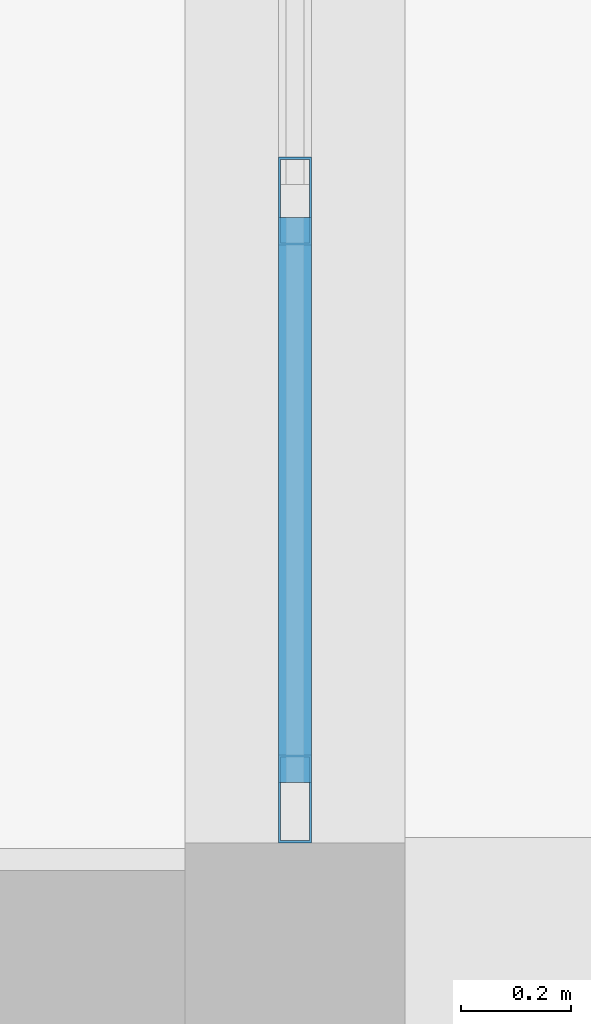
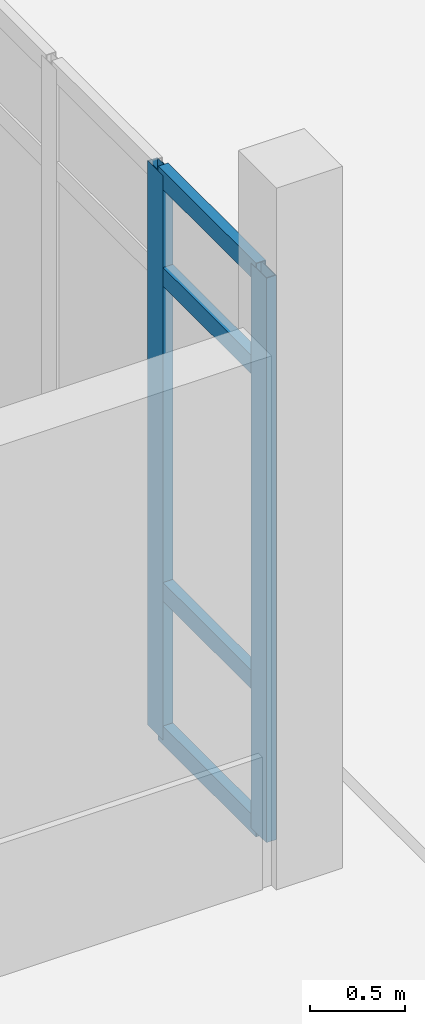
# One storey, part 3 of 41: 6 members, 1 element without a shape of its own.
"""IFC4 building model written with IfcOpenShell, lengths in metres."""

import ifcopenshell
import ifcopenshell.guid

model = None  # the IFC model being written
_history = None  # IfcOwnerHistory: only IFC2X3 demands one
_inside = {}  # id of a spatial element -> (the spatial element, [elements in it])
_under = {}  # id of a project, library or spatial element -> (it, [spatial elements below it])
_declared = {}  # id of a project -> (the project, [libraries it declares])
_typed = {}  # id of a type object -> (the type object, [elements of that type])
_made_of = {}  # id of a material, layer set ... -> (it, [elements and type objects made of it])


def new_model(schema):
    """Start an empty IFC model of exactly this schema.

    Asked for "IFC4X3", IfcOpenShell would pick the latest addendum, in which some entities
    have other attributes; the version numbers below select the first issue.
    IFC2X3 requires an IfcOwnerHistory on every rooted entity: one is made here for all.
    """
    global model, _history
    if schema == "IFC4X3":
        model = ifcopenshell.file(schema_version=(4, 3, 0, 0))
    else:
        model = ifcopenshell.file(schema=schema)
    _inside.clear()
    _under.clear()
    _declared.clear()
    _typed.clear()
    _made_of.clear()
    _history = None
    if model.schema == "IFC2X3":
        org = make("IfcOrganization", Name="unknown")
        user = make(
            "IfcPersonAndOrganization",
            ThePerson=make("IfcPerson", FamilyName="unknown"),
            TheOrganization=org,
        )
        app = make(
            "IfcApplication",
            ApplicationDeveloper=org,
            Version="unknown",
            ApplicationFullName="unknown",
            ApplicationIdentifier="unknown",
        )
        _history = make(
            "IfcOwnerHistory",
            OwningUser=user,
            OwningApplication=app,
            ChangeAction="ADDED",
            CreationDate=0,
        )
    return model


def make(cls, **values):
    """One entity of the class cls with the attributes given. An attribute that is None is left unset."""
    return model.create_entity(
        cls, **{name: value for name, value in values.items() if value is not None}
    )


def rooted(cls, **values):
    """An entity with a GlobalId (a new one), such as an element, a storey or a relation."""
    return make(cls, GlobalId=ifcopenshell.guid.new(), OwnerHistory=_history, **values)


def si_unit(unit_type, name, prefix=None):
    """IfcSIUnit, for example si_unit("LENGTHUNIT", "METRE", prefix="MILLI")."""
    return make("IfcSIUnit", UnitType=unit_type, Prefix=prefix, Name=name)


def assignment(units):
    """IfcUnitAssignment: the units of a project."""
    return None if units is None else make("IfcUnitAssignment", Units=units)


def point(xyz):
    """IfcCartesianPoint."""
    return None if xyz is None else make("IfcCartesianPoint", Coordinates=xyz)


def direction(xyz):
    """IfcDirection."""
    return None if xyz is None else make("IfcDirection", DirectionRatios=xyz)


def frame(location, z_axis=None, x_axis=None):
    """IfcAxis2Placement3D, a coordinate frame: its origin and axes. An axis left out is left unset."""
    return make(
        "IfcAxis2Placement3D",
        Location=point(location),
        Axis=direction(z_axis),
        RefDirection=direction(x_axis),
    )


def frame_2d(location, x_axis=None):
    """IfcAxis2Placement2D, a coordinate frame in the plane: its origin and x axis."""
    return make(
        "IfcAxis2Placement2D", Location=point(location), RefDirection=direction(x_axis)
    )


def origin():
    """The frame at (0, 0, 0) with its axes left unset."""
    return frame((0.0, 0.0, 0.0))


def origin_2d():
    """The frame at (0, 0) in the plane with its x axis left unset."""
    return frame_2d((0.0, 0.0))


def place(relative_to, where):
    """IfcLocalPlacement: puts the frame where relative to a parent placement (None: the world)."""
    return make(
        "IfcLocalPlacement", PlacementRelTo=relative_to, RelativePlacement=where
    )


def context(
    kind, dimensions, precision=None, world=None, true_north=None, identifier=None
):
    """IfcGeometricRepresentationContext, for example the 3D "Model" context."""
    return make(
        "IfcGeometricRepresentationContext",
        ContextIdentifier=identifier,
        ContextType=kind,
        CoordinateSpaceDimension=dimensions,
        Precision=precision,
        WorldCoordinateSystem=world,
        TrueNorth=true_north,
    )


def subcontext(parent, identifier, kind, view, scale=None):
    """IfcGeometricRepresentationSubContext, for example "Body" below "Model"."""
    return make(
        "IfcGeometricRepresentationSubContext",
        ContextIdentifier=identifier,
        ContextType=kind,
        ParentContext=parent,
        TargetScale=scale,
        TargetView=view,
    )


def project(units=None, contexts=None):
    """IfcProject with its units and contexts."""
    return rooted(
        "IfcProject",
        Name="project",
        RepresentationContexts=contexts,
        UnitsInContext=assignment(units),
    )


def spatial(cls, under=None, at=None, **own):
    """A site, building, storey or space (cls), placed at a placement, below another one or the project."""
    s = rooted(cls, ObjectPlacement=at, **own)
    if under is not None:
        _under.setdefault(under.id(), (under, []))[1].append(s)
    return s


def profile(cls, at=None, kind="AREA", **sizes):
    """A parametric profile (cls). Its sizes go by their IFC names, for example OverallWidth=200.0."""
    return make(cls, ProfileType=kind, Position=at, **sizes)


def hollow_rectangle(**sizes):
    """IfcRectangleHollowProfileDef."""
    return profile("IfcRectangleHollowProfileDef", **sizes)


def extrude(swept, where, along, depth):
    """IfcExtrudedAreaSolid: the profile swept, set in the frame where, extruded along a direction by depth."""
    return make(
        "IfcExtrudedAreaSolid",
        SweptArea=swept,
        Position=where,
        ExtrudedDirection=direction(along),
        Depth=depth,
    )


def shape(context_of_items, identifier, shape_type, items):
    """IfcShapeRepresentation: the items that make up one representation, for example the "Body"."""
    return make(
        "IfcShapeRepresentation",
        ContextOfItems=context_of_items,
        RepresentationIdentifier=identifier,
        RepresentationType=shape_type,
        Items=items,
    )


def material(Name=None, Category=None):
    """IfcMaterial."""
    return make("IfcMaterial", Name=Name, Category=Category)


def material_profile(
    of_material, cross_section, Name=None, Category=None, Priority=None
):
    """IfcMaterialProfile: a cross section and its material."""
    return make(
        "IfcMaterialProfile",
        Name=Name,
        Material=of_material,
        Profile=cross_section,
        Priority=Priority,
        Category=Category,
    )


def profile_set(profiles, Name=None, composite=None):
    """IfcMaterialProfileSet."""
    return make(
        "IfcMaterialProfileSet",
        Name=Name,
        MaterialProfiles=profiles,
        CompositeProfile=composite,
    )


def made_of(thing, what):
    """Note that an element or type object is made of a material, layer set ...; save() writes the relation."""
    if what is not None:
        _made_of.setdefault(what.id(), (what, []))[1].append(thing)
    return thing


def type_object(cls, material=None, **own):
    """A type object (cls), such as IfcWallType, which elements share."""
    return made_of(rooted(cls, **own), material)


def element(
    cls,
    number,
    at=None,
    inside=None,
    cuts=None,
    type_object=None,
    material=None,
    context=None,
    identifier="Body",
    shape_type=None,
    held_by="IfcProductDefinitionShape",
    body=None,
    shapes=None,
    **own,
):
    """One element of the class cls, such as IfcWall. Its Tag is "e" and its number.

    at: its placement. inside: the storey or other place that contains it. cuts: it is an
    opening in that element (IfcRelVoidsElement). A single representation is given by context,
    identifier, shape_type and body (its items); several are given by shapes. held_by: the class
    of the entity that holds the representations. save() writes the other relations.
    """
    e = rooted(cls, Tag="e%d" % number, ObjectPlacement=at, **own)
    if body is not None:
        shapes = [shape(context, identifier, shape_type, body)]
    if shapes is not None:
        e.Representation = make(held_by, Representations=shapes)
    if inside is not None:
        _inside.setdefault(inside.id(), (inside, []))[1].append(e)
    if cuts is not None:
        rooted(
            "IfcRelVoidsElement", RelatingBuildingElement=cuts, RelatedOpeningElement=e
        )
    if type_object is not None:
        _typed.setdefault(type_object.id(), (type_object, []))[1].append(e)
    return made_of(e, material)


def aggregate(whole, parts):
    """IfcRelAggregates: a whole, such as a stair, and the parts it consists of."""
    return rooted("IfcRelAggregates", RelatingObject=whole, RelatedObjects=parts)


def save(model, path):
    """Write the relations noted so far, then the file.

    IfcRelAggregates (storeys below a building ...), IfcRelContainedInSpatialStructure (elements
    in a storey), IfcRelDefinesByType, IfcRelAssociatesMaterial and IfcRelDeclares: one each for
    every whole, place, type object, material and project.
    """
    for whole, parts in _under.values():
        aggregate(whole, parts)
    for where, things in _inside.values():
        rooted(
            "IfcRelContainedInSpatialStructure",
            RelatedElements=things,
            RelatingStructure=where,
        )
    for kind, things in _typed.values():
        rooted("IfcRelDefinesByType", RelatedObjects=things, RelatingType=kind)
    for what, things in _made_of.values():
        rooted("IfcRelAssociatesMaterial", RelatedObjects=things, RelatingMaterial=what)
    for by, libraries in _declared.values():
        rooted("IfcRelDeclares", RelatingContext=by, RelatedDefinitions=libraries)
    model.write(path)


model = new_model("IFC4")

# Units and contexts
model_context = context("Model", 3, precision=1e-05, world=origin(), true_north=direction((0.0, 1.0)))
body_context = subcontext(model_context, "Body", "Model", "MODEL_VIEW")
ifc_project = project(units=[si_unit("LENGTHUNIT", "METRE"), si_unit("AREAUNIT", "SQUARE_METRE"), si_unit("VOLUMEUNIT", "CUBIC_METRE"), si_unit("PLANEANGLEUNIT", "RADIAN"), si_unit("MASSUNIT", "GRAM", prefix="KILO")], contexts=[model_context])

# Site, building, storey
site_placement = place(None, origin())
site = spatial("IfcSite", under=ifc_project, at=site_placement, CompositionType="ELEMENT")
building_placement = place(site_placement, origin())
building = spatial("IfcBuilding", under=site, at=building_placement, Name="Kalluvel Institute of Natural Sciences", CompositionType="ELEMENT")
storey_placement = place(building_placement, frame((0.0, 0.0, 32.39990234375)))
storey = spatial("IfcBuildingStorey", under=building, at=storey_placement, Name="L07", CompositionType="ELEMENT", Elevation=32.39990234375)

# Curtain wall, members
ifc_material = material(Name="Aluminium AW-6063 T6", Category="aluminium")
curtain_wall_type = type_object("IfcCurtainWallType", Name="CW-DRY-45", PredefinedType="USERDEFINED", material=ifc_material)
curtain_wall_placement = place(storey_placement, origin())
curtain_wall = element("IfcCurtainWall", 1, at=curtain_wall_placement, inside=storey, type_object=curtain_wall_type, Name="L07 Gothic lancet curtain wall CWA-L07-X284-Y430", ObjectType="UNITISED LANCET FACADE", PredefinedType="USERDEFINED")
ifc_material_profile_1 = material_profile(ifc_material, hollow_rectangle(XDim=0.06005859375, YDim=0.159912109375, WallThickness=0.00390625, at=origin_2d()), Name="CWM 60x160")
ifc_profile_set_1 = profile_set([ifc_material_profile_1], Name="Aluminium AW-6063 T6")
member_type_1 = type_object("IfcMemberType", Name="CWM-60x160", PredefinedType="MULLION", material=ifc_profile_set_1)
member_1_placement = place(storey_placement, frame((28.39990234375, 43.080078125, 0.0), z_axis=(0.0, 0.0, 1.0), x_axis=(-1.0, 0.0, 0.0)))
member_1 = element("IfcMember", 2, at=member_1_placement, type_object=member_type_1, Name="CW-03 mullion 1", PredefinedType="MULLION", context=body_context, shape_type="SweptSolid", body=[
    extrude(hollow_rectangle(XDim=0.06005859375, YDim=0.159912109375, WallThickness=0.00390625, at=origin_2d()), origin(), (0.0, 0.0, 1.0), 3.6201171875),
])
member_2_placement = place(storey_placement, frame((28.39990234375, 44.166748046875, 0.0), z_axis=(0.0, 0.0, 1.0), x_axis=(-1.0, 0.0, 0.0)))
member_2 = element("IfcMember", 3, at=member_2_placement, type_object=member_type_1, Name="CW-03 mullion 2", PredefinedType="MULLION", context=body_context, shape_type="SweptSolid", body=[
    extrude(hollow_rectangle(XDim=0.06005859375, YDim=0.159912109375, WallThickness=0.00390625, at=origin_2d()), origin(), (0.0, 0.0, 1.0), 3.6201171875),
])
ifc_material_profile_2 = material_profile(ifc_material, hollow_rectangle(XDim=0.06005859375, YDim=0.1201171875, WallThickness=0.00390625, at=origin_2d()), Name="CWT 60x120")
ifc_profile_set_2 = profile_set([ifc_material_profile_2], Name="Aluminium AW-6063 T6")
member_type_2 = type_object("IfcMemberType", Name="CWT-60x120", PredefinedType="USERDEFINED", material=ifc_profile_set_2)
member_3_placement = place(storey_placement, frame((28.39990234375, 43.110107421875, 0.030029296875), z_axis=(0.0, 1.0, 0.0), x_axis=(-1.0, 0.0, 0.0)))
member_3 = element("IfcMember", 4, at=member_3_placement, type_object=member_type_2, Name="CW-03 transom 1.1", ObjectType="TRANSOM", PredefinedType="USERDEFINED", context=body_context, shape_type="SweptSolid", body=[
    extrude(hollow_rectangle(XDim=0.06005859375, YDim=0.1201171875, WallThickness=0.00390625, at=origin_2d()), origin(), (0.0, 0.0, 1.0), 1.026611328125),
])
member_4_placement = place(storey_placement, frame((28.39990234375, 43.110107421875, 0.9501953125), z_axis=(0.0, 1.0, 0.0), x_axis=(-1.0, 0.0, 0.0)))
member_4 = element("IfcMember", 5, at=member_4_placement, type_object=member_type_2, Name="CW-03 transom 1.2", ObjectType="TRANSOM", PredefinedType="USERDEFINED", context=body_context, shape_type="SweptSolid", body=[
    extrude(hollow_rectangle(XDim=0.06005859375, YDim=0.1201171875, WallThickness=0.00390625, at=origin_2d()), origin(), (0.0, 0.0, 1.0), 1.026611328125),
])
member_5_placement = place(storey_placement, frame((28.39990234375, 43.110107421875, 2.97021484375), z_axis=(0.0, 1.0, 0.0), x_axis=(-1.0, 0.0, 0.0)))
member_5 = element("IfcMember", 6, at=member_5_placement, type_object=member_type_2, Name="CW-03 transom 1.3", ObjectType="TRANSOM", PredefinedType="USERDEFINED", context=body_context, shape_type="SweptSolid", body=[
    extrude(hollow_rectangle(XDim=0.06005859375, YDim=0.1201171875, WallThickness=0.00390625, at=origin_2d()), origin(), (0.0, 0.0, 1.0), 1.026611328125),
])
member_6_placement = place(storey_placement, frame((28.39990234375, 43.110107421875, 3.590087890625), z_axis=(0.0, 1.0, 0.0), x_axis=(-1.0, 0.0, 0.0)))
member_6 = element("IfcMember", 7, at=member_6_placement, type_object=member_type_2, Name="CW-03 transom 1.4", ObjectType="TRANSOM", PredefinedType="USERDEFINED", context=body_context, shape_type="SweptSolid", body=[
    extrude(hollow_rectangle(XDim=0.06005859375, YDim=0.1201171875, WallThickness=0.00390625, at=origin_2d()), origin(), (0.0, 0.0, 1.0), 1.026611328125),
])
aggregate(curtain_wall, [member_1, member_2, member_3, member_4, member_5, member_6])

save(model, "model.ifc")
